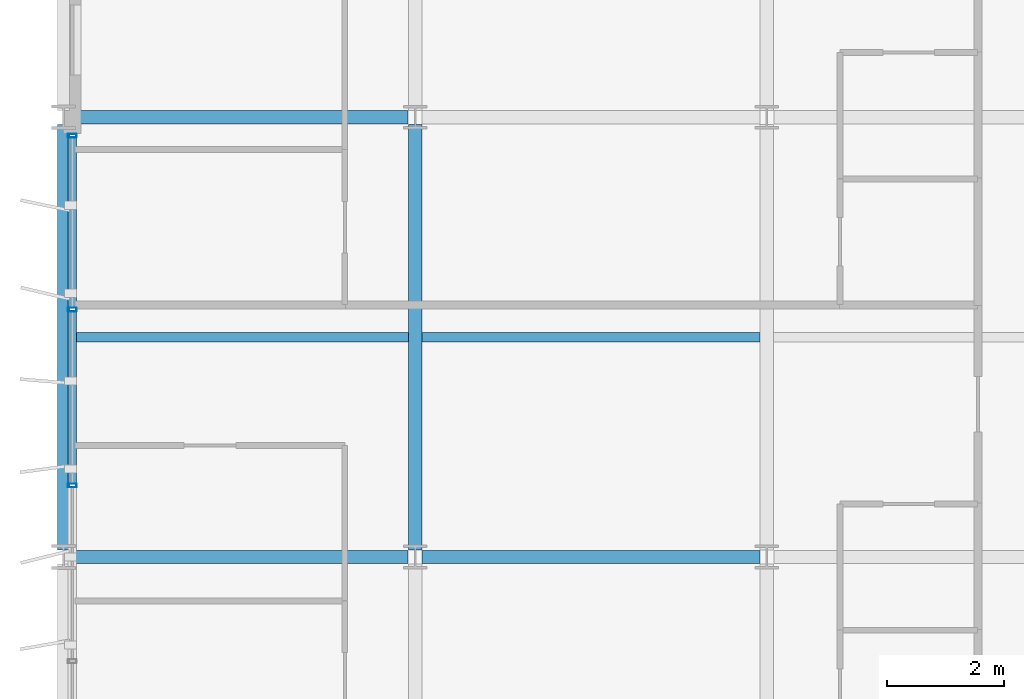
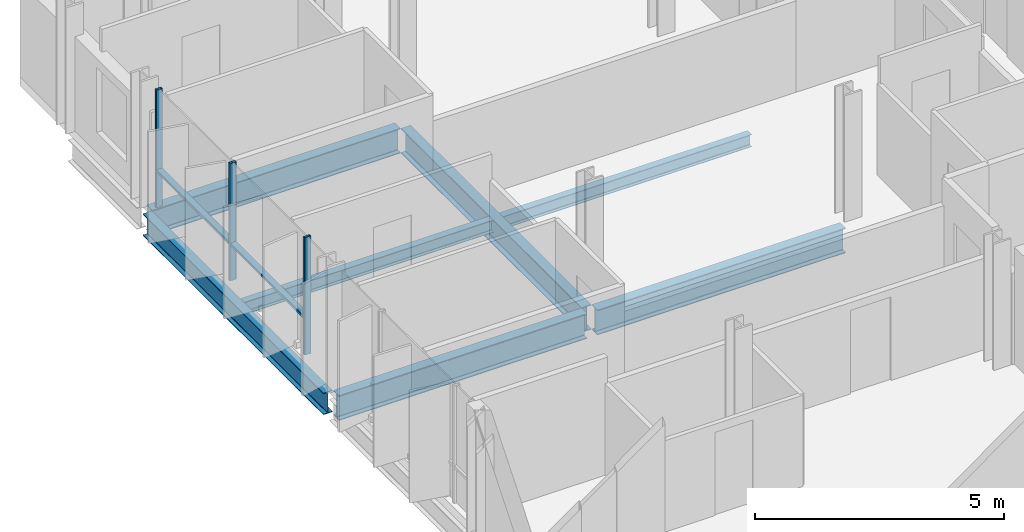
# One storey, part 7 of 38: 7 beams, 5 members, 1 element without a shape of its own.
"""IFC4 building model written with IfcOpenShell, lengths in metres."""

import ifcopenshell
import ifcopenshell.guid

model = None  # the IFC model being written
_history = None  # IfcOwnerHistory: only IFC2X3 demands one
_inside = {}  # id of a spatial element -> (the spatial element, [elements in it])
_under = {}  # id of a project, library or spatial element -> (it, [spatial elements below it])
_declared = {}  # id of a project -> (the project, [libraries it declares])
_typed = {}  # id of a type object -> (the type object, [elements of that type])
_made_of = {}  # id of a material, layer set ... -> (it, [elements and type objects made of it])


def new_model(schema):
    """Start an empty IFC model of exactly this schema.

    Asked for "IFC4X3", IfcOpenShell would pick the latest addendum, in which some entities
    have other attributes; the version numbers below select the first issue.
    IFC2X3 requires an IfcOwnerHistory on every rooted entity: one is made here for all.
    """
    global model, _history
    if schema == "IFC4X3":
        model = ifcopenshell.file(schema_version=(4, 3, 0, 0))
    else:
        model = ifcopenshell.file(schema=schema)
    _inside.clear()
    _under.clear()
    _declared.clear()
    _typed.clear()
    _made_of.clear()
    _history = None
    if model.schema == "IFC2X3":
        org = make("IfcOrganization", Name="unknown")
        user = make(
            "IfcPersonAndOrganization",
            ThePerson=make("IfcPerson", FamilyName="unknown"),
            TheOrganization=org,
        )
        app = make(
            "IfcApplication",
            ApplicationDeveloper=org,
            Version="unknown",
            ApplicationFullName="unknown",
            ApplicationIdentifier="unknown",
        )
        _history = make(
            "IfcOwnerHistory",
            OwningUser=user,
            OwningApplication=app,
            ChangeAction="ADDED",
            CreationDate=0,
        )
    return model


def make(cls, **values):
    """One entity of the class cls with the attributes given. An attribute that is None is left unset."""
    return model.create_entity(
        cls, **{name: value for name, value in values.items() if value is not None}
    )


def rooted(cls, **values):
    """An entity with a GlobalId (a new one), such as an element, a storey or a relation."""
    return make(cls, GlobalId=ifcopenshell.guid.new(), OwnerHistory=_history, **values)


def si_unit(unit_type, name, prefix=None):
    """IfcSIUnit, for example si_unit("LENGTHUNIT", "METRE", prefix="MILLI")."""
    return make("IfcSIUnit", UnitType=unit_type, Prefix=prefix, Name=name)


def assignment(units):
    """IfcUnitAssignment: the units of a project."""
    return None if units is None else make("IfcUnitAssignment", Units=units)


def point(xyz):
    """IfcCartesianPoint."""
    return None if xyz is None else make("IfcCartesianPoint", Coordinates=xyz)


def direction(xyz):
    """IfcDirection."""
    return None if xyz is None else make("IfcDirection", DirectionRatios=xyz)


def frame(location, z_axis=None, x_axis=None):
    """IfcAxis2Placement3D, a coordinate frame: its origin and axes. An axis left out is left unset."""
    return make(
        "IfcAxis2Placement3D",
        Location=point(location),
        Axis=direction(z_axis),
        RefDirection=direction(x_axis),
    )


def frame_2d(location, x_axis=None):
    """IfcAxis2Placement2D, a coordinate frame in the plane: its origin and x axis."""
    return make(
        "IfcAxis2Placement2D", Location=point(location), RefDirection=direction(x_axis)
    )


def origin():
    """The frame at (0, 0, 0) with its axes left unset."""
    return frame((0.0, 0.0, 0.0))


def origin_2d():
    """The frame at (0, 0) in the plane with its x axis left unset."""
    return frame_2d((0.0, 0.0))


def place(relative_to, where):
    """IfcLocalPlacement: puts the frame where relative to a parent placement (None: the world)."""
    return make(
        "IfcLocalPlacement", PlacementRelTo=relative_to, RelativePlacement=where
    )


def context(
    kind, dimensions, precision=None, world=None, true_north=None, identifier=None
):
    """IfcGeometricRepresentationContext, for example the 3D "Model" context."""
    return make(
        "IfcGeometricRepresentationContext",
        ContextIdentifier=identifier,
        ContextType=kind,
        CoordinateSpaceDimension=dimensions,
        Precision=precision,
        WorldCoordinateSystem=world,
        TrueNorth=true_north,
    )


def subcontext(parent, identifier, kind, view, scale=None):
    """IfcGeometricRepresentationSubContext, for example "Body" below "Model"."""
    return make(
        "IfcGeometricRepresentationSubContext",
        ContextIdentifier=identifier,
        ContextType=kind,
        ParentContext=parent,
        TargetScale=scale,
        TargetView=view,
    )


def project(units=None, contexts=None):
    """IfcProject with its units and contexts."""
    return rooted(
        "IfcProject",
        Name="project",
        RepresentationContexts=contexts,
        UnitsInContext=assignment(units),
    )


def spatial(cls, under=None, at=None, **own):
    """A site, building, storey or space (cls), placed at a placement, below another one or the project."""
    s = rooted(cls, ObjectPlacement=at, **own)
    if under is not None:
        _under.setdefault(under.id(), (under, []))[1].append(s)
    return s


def profile(cls, at=None, kind="AREA", **sizes):
    """A parametric profile (cls). Its sizes go by their IFC names, for example OverallWidth=200.0."""
    return make(cls, ProfileType=kind, Position=at, **sizes)


def hollow_rectangle(**sizes):
    """IfcRectangleHollowProfileDef."""
    return profile("IfcRectangleHollowProfileDef", **sizes)


def i_section(**sizes):
    """IfcIShapeProfileDef."""
    return profile("IfcIShapeProfileDef", **sizes)


def extrude(swept, where, along, depth):
    """IfcExtrudedAreaSolid: the profile swept, set in the frame where, extruded along a direction by depth."""
    return make(
        "IfcExtrudedAreaSolid",
        SweptArea=swept,
        Position=where,
        ExtrudedDirection=direction(along),
        Depth=depth,
    )


def shape(context_of_items, identifier, shape_type, items):
    """IfcShapeRepresentation: the items that make up one representation, for example the "Body"."""
    return make(
        "IfcShapeRepresentation",
        ContextOfItems=context_of_items,
        RepresentationIdentifier=identifier,
        RepresentationType=shape_type,
        Items=items,
    )


def material(Name=None, Category=None):
    """IfcMaterial."""
    return make("IfcMaterial", Name=Name, Category=Category)


def layer(
    of_material, thickness, ventilated=None, Name=None, Category=None, Priority=None
):
    """IfcMaterialLayer: one layer of a wall or slab, of a material (None: an air gap)."""
    return make(
        "IfcMaterialLayer",
        Material=of_material,
        LayerThickness=thickness,
        IsVentilated=ventilated,
        Name=Name,
        Category=Category,
        Priority=Priority,
    )


def layer_set(layers, Name=None):
    """IfcMaterialLayerSet."""
    return make("IfcMaterialLayerSet", MaterialLayers=layers, LayerSetName=Name)


def material_profile(
    of_material, cross_section, Name=None, Category=None, Priority=None
):
    """IfcMaterialProfile: a cross section and its material."""
    return make(
        "IfcMaterialProfile",
        Name=Name,
        Material=of_material,
        Profile=cross_section,
        Priority=Priority,
        Category=Category,
    )


def profile_set(profiles, Name=None, composite=None):
    """IfcMaterialProfileSet."""
    return make(
        "IfcMaterialProfileSet",
        Name=Name,
        MaterialProfiles=profiles,
        CompositeProfile=composite,
    )


def made_of(thing, what):
    """Note that an element or type object is made of a material, layer set ...; save() writes the relation."""
    if what is not None:
        _made_of.setdefault(what.id(), (what, []))[1].append(thing)
    return thing


def type_object(cls, material=None, **own):
    """A type object (cls), such as IfcWallType, which elements share."""
    return made_of(rooted(cls, **own), material)


def element(
    cls,
    number,
    at=None,
    inside=None,
    cuts=None,
    type_object=None,
    material=None,
    context=None,
    identifier="Body",
    shape_type=None,
    held_by="IfcProductDefinitionShape",
    body=None,
    shapes=None,
    **own,
):
    """One element of the class cls, such as IfcWall. Its Tag is "e" and its number.

    at: its placement. inside: the storey or other place that contains it. cuts: it is an
    opening in that element (IfcRelVoidsElement). A single representation is given by context,
    identifier, shape_type and body (its items); several are given by shapes. held_by: the class
    of the entity that holds the representations. save() writes the other relations.
    """
    e = rooted(cls, Tag="e%d" % number, ObjectPlacement=at, **own)
    if body is not None:
        shapes = [shape(context, identifier, shape_type, body)]
    if shapes is not None:
        e.Representation = make(held_by, Representations=shapes)
    if inside is not None:
        _inside.setdefault(inside.id(), (inside, []))[1].append(e)
    if cuts is not None:
        rooted(
            "IfcRelVoidsElement", RelatingBuildingElement=cuts, RelatedOpeningElement=e
        )
    if type_object is not None:
        _typed.setdefault(type_object.id(), (type_object, []))[1].append(e)
    return made_of(e, material)


def aggregate(whole, parts):
    """IfcRelAggregates: a whole, such as a stair, and the parts it consists of."""
    return rooted("IfcRelAggregates", RelatingObject=whole, RelatedObjects=parts)


def save(model, path):
    """Write the relations noted so far, then the file.

    IfcRelAggregates (storeys below a building ...), IfcRelContainedInSpatialStructure (elements
    in a storey), IfcRelDefinesByType, IfcRelAssociatesMaterial and IfcRelDeclares: one each for
    every whole, place, type object, material and project.
    """
    for whole, parts in _under.values():
        aggregate(whole, parts)
    for where, things in _inside.values():
        rooted(
            "IfcRelContainedInSpatialStructure",
            RelatedElements=things,
            RelatingStructure=where,
        )
    for kind, things in _typed.values():
        rooted("IfcRelDefinesByType", RelatedObjects=things, RelatingType=kind)
    for what, things in _made_of.values():
        rooted("IfcRelAssociatesMaterial", RelatedObjects=things, RelatingMaterial=what)
    for by, libraries in _declared.values():
        rooted("IfcRelDeclares", RelatingContext=by, RelatedDefinitions=libraries)
    model.write(path)


model = new_model("IFC4")

# Units and contexts
model_context = context("Model", 3, precision=1e-05, world=origin(), true_north=direction((0.0, 1.0)))
body_context = subcontext(model_context, "Body", "Model", "MODEL_VIEW")
ifc_project = project(units=[si_unit("LENGTHUNIT", "METRE"), si_unit("AREAUNIT", "SQUARE_METRE"), si_unit("VOLUMEUNIT", "CUBIC_METRE"), si_unit("PLANEANGLEUNIT", "RADIAN"), si_unit("MASSUNIT", "GRAM", prefix="KILO")], contexts=[model_context])

# Site, building, storey
site_placement = place(None, origin())
site = spatial("IfcSite", under=ifc_project, at=site_placement, CompositionType="ELEMENT")
building_placement = place(site_placement, origin())
building = spatial("IfcBuilding", under=site, at=building_placement, Name="Brevholm Reach", CompositionType="ELEMENT")
storey_placement = place(building_placement, frame((0.0, 0.0, 141.800048828125)))
storey = spatial("IfcBuildingStorey", under=building, at=storey_placement, Name="L42", CompositionType="ELEMENT", Elevation=141.800048828125)

# Beams
ifc_material_1 = material(Name="Structural Steel S355J2", Category="steel")
ifc_material_profile_1 = material_profile(ifc_material_1, i_section(OverallWidth=0.1650390625, OverallDepth=0.303466796875, WebThickness=0.006103515625, FlangeThickness=0.01025390625, FilletRadius=0.0087890625, at=origin_2d()), Name="UKB 305x165x40")
ifc_profile_set_1 = profile_set([ifc_material_profile_1], Name="Structural Steel S355J2")
beam_type_1 = type_object("IfcBeamType", Name="BM-B305", PredefinedType="BEAM", material=ifc_profile_set_1)
beam_1_placement = place(storey_placement, frame((0.104736328125, 19.75, -0.371826171875), z_axis=(1.0, 0.0, 0.0), x_axis=(0.0, 1.0, 0.0)))
element("IfcBeam", 1, at=beam_1_placement, inside=storey, type_object=beam_type_1, Name="L42 Composite Secondary Floor Beam", PredefinedType="BEAM", context=body_context, shape_type="SweptSolid", body=[
    extrude(i_section(OverallWidth=0.1650390625, OverallDepth=0.303466796875, WebThickness=0.006103515625, FlangeThickness=0.01025390625, FilletRadius=0.0087890625, at=origin_2d()), origin(), (0.0, 0.0, 1.0), 5.78076171875),
])
beam_2_placement = place(storey_placement, frame((6.114501953125, 19.75, -0.371826171875), z_axis=(1.0, 0.0, 0.0), x_axis=(0.0, 1.0, 0.0)))
element("IfcBeam", 2, at=beam_2_placement, inside=storey, type_object=beam_type_1, Name="L42 Composite Secondary Floor Beam", PredefinedType="BEAM", context=body_context, shape_type="SweptSolid", body=[
    extrude(i_section(OverallWidth=0.1650390625, OverallDepth=0.303466796875, WebThickness=0.006103515625, FlangeThickness=0.01025390625, FilletRadius=0.0087890625, at=origin_2d()), origin(), (0.0, 0.0, 1.0), 5.77099609375),
])
ifc_material_2 = material(Name="Structural Steel S355J2", Category="steel")
ifc_material_profile_2 = material_profile(ifc_material_2, i_section(OverallWidth=0.209228515625, OverallDepth=0.533203125, WebThickness=0.010009765625, FlangeThickness=0.015625, FilletRadius=0.0126953125, at=origin_2d()), Name="UKB 533x210x92")
ifc_profile_set_2 = profile_set([ifc_material_profile_2], Name="Structural Steel S355J2")
beam_type_2 = type_object("IfcBeamType", Name="BM-SP533", PredefinedType="SPANDREL", material=ifc_profile_set_2)
beam_3_placement = place(storey_placement, frame((0.0, 16.1201171875, -0.486572265625), z_axis=(0.0, 1.0, 0.0), x_axis=(-1.0, 0.0, 0.0)))
element("IfcBeam", 3, at=beam_3_placement, inside=storey, type_object=beam_type_2, Name="L42 SP-02 Framing Beam", PredefinedType="SPANDREL", context=body_context, shape_type="SweptSolid", body=[
    extrude(i_section(OverallWidth=0.209228515625, OverallDepth=0.533203125, WebThickness=0.010009765625, FlangeThickness=0.015625, FilletRadius=0.0126953125, at=origin_2d()), origin(), (0.0, 0.0, 1.0), 7.259765625),
])
ifc_material_3 = material(Name="Structural Steel S355J2", Category="steel")
ifc_material_profile_3 = material_profile(ifc_material_3, i_section(OverallWidth=0.22900390625, OverallDepth=0.6123046875, WebThickness=0.011962890625, FlangeThickness=0.01953125, FilletRadius=0.0126953125, at=origin_2d()), Name="UKB 610x229x125")
ifc_profile_set_3 = profile_set([ifc_material_profile_3], Name="Structural Steel S355J2")
beam_type_3 = type_object("IfcBeamType", Name="BM-SP610", PredefinedType="SPANDREL", material=ifc_profile_set_3)
for number, where, z_axis, x_axis, name in (
    (4, (0.1201171875, 16.0, -0.526123046875), (1.0, 0.0, 0.0), (0.0, 1.0, 0.0), "L42 SP-01 Framing Beam"),
    (5, (6.1201171875, 16.0, -0.526123046875), (1.0, 0.0, 0.0), (0.0, 1.0, 0.0), "L42 SP-01 Framing Beam"),
    (6, (0.1201171875, 23.5, -0.526123046875), (1.0, 0.0, 0.0), (0.0, 1.0, 0.0), "L42 SP-01 Framing Beam"),
):
    element("IfcBeam", number, at=place(storey_placement, frame(where, z_axis=z_axis, x_axis=x_axis)), inside=storey, type_object=beam_type_3, Name=name, PredefinedType="SPANDREL", context=body_context, shape_type="SweptSolid", body=[
        extrude(i_section(OverallWidth=0.22900390625, OverallDepth=0.6123046875, WebThickness=0.011962890625, FlangeThickness=0.01953125, FilletRadius=0.0126953125, at=origin_2d()), origin(), (0.0, 0.0, 1.0), 5.759765625),
    ])
beam_4_placement = place(storey_placement, frame((6.0, 16.1201171875, -0.526123046875), z_axis=(0.0, 1.0, 0.0), x_axis=(-1.0, 0.0, 0.0)))
element("IfcBeam", 7, at=beam_4_placement, inside=storey, type_object=beam_type_3, Name="L42 SP-01 Framing Beam", PredefinedType="SPANDREL", context=body_context, shape_type="SweptSolid", body=[
    extrude(i_section(OverallWidth=0.22900390625, OverallDepth=0.6123046875, WebThickness=0.011962890625, FlangeThickness=0.01953125, FilletRadius=0.0126953125, at=origin_2d()), origin(), (0.0, 0.0, 1.0), 7.259765625),
])

# Curtain wall, members
ifc_material_4 = material(Name="Dark Anodised Aluminium 6063-T6 and Solar-Control Glass", Category="aluminium")
ifc_layer = layer(ifc_material_4, 0.14990234375)
ifc_layer_set = layer_set([ifc_layer], Name="Dark Anodised Aluminium 6063-T6 and Solar-Control Glass")
curtain_wall_type = type_object("IfcCurtainWallType", Name="CW-01", PredefinedType="NOTDEFINED", material=ifc_layer_set)
curtain_wall_placement = place(storey_placement, origin())
curtain_wall = element("IfcCurtainWall", 8, at=curtain_wall_placement, inside=storey, type_object=curtain_wall_type, Name="L42 Curtain Wall CW-01", PredefinedType="NOTDEFINED")
ifc_material_5 = material(Name="Dark Anodised Aluminium 6063-T6", Category="aluminium")
ifc_material_profile_4 = material_profile(ifc_material_5, hollow_rectangle(XDim=0.06494140625, YDim=0.14990234375, WallThickness=0.0048828125, InnerFilletRadius=0.0048828125, OuterFilletRadius=0.010009765625, at=origin_2d()), Name="RHS 150x65x5")
ifc_profile_set_4 = profile_set([ifc_material_profile_4], Name="Dark Anodised Aluminium 6063-T6")
member_type_1 = type_object("IfcMemberType", Name="CWM-150", PredefinedType="MULLION", material=ifc_profile_set_4)
member_1_placement = place(storey_placement, frame((0.14990234375, 23.1875, 0.0), z_axis=(0.0, 0.0, 1.0), x_axis=(0.0, -1.0, 0.0)))
member_1 = element("IfcMember", 9, at=member_1_placement, type_object=member_type_1, Name="CM-150 Mullion 1", PredefinedType="MULLION", context=body_context, shape_type="SweptSolid", body=[
    extrude(hollow_rectangle(XDim=0.06494140625, YDim=0.14990234375, WallThickness=0.0048828125, InnerFilletRadius=0.0048828125, OuterFilletRadius=0.010009765625, at=origin_2d()), origin(), (0.0, 0.0, 1.0), 2.8798828125),
])
member_2_placement = place(storey_placement, frame((0.14990234375, 20.219970703125, 0.0), z_axis=(0.0, 0.0, 1.0), x_axis=(0.0, -1.0, 0.0)))
member_2 = element("IfcMember", 10, at=member_2_placement, type_object=member_type_1, Name="CM-150 Mullion 2", PredefinedType="MULLION", context=body_context, shape_type="SweptSolid", body=[
    extrude(hollow_rectangle(XDim=0.06494140625, YDim=0.14990234375, WallThickness=0.0048828125, InnerFilletRadius=0.0048828125, OuterFilletRadius=0.010009765625, at=origin_2d()), origin(), (0.0, 0.0, 1.0), 2.8798828125),
])
member_3_placement = place(storey_placement, frame((0.14990234375, 17.219970703125, 0.0), z_axis=(0.0, 0.0, 1.0), x_axis=(0.0, -1.0, 0.0)))
member_3 = element("IfcMember", 11, at=member_3_placement, type_object=member_type_1, Name="CM-150 Mullion 3", PredefinedType="MULLION", context=body_context, shape_type="SweptSolid", body=[
    extrude(hollow_rectangle(XDim=0.06494140625, YDim=0.14990234375, WallThickness=0.0048828125, InnerFilletRadius=0.0048828125, OuterFilletRadius=0.010009765625, at=origin_2d()), origin(), (0.0, 0.0, 1.0), 2.8798828125),
])
ifc_material_6 = material(Name="Dark Anodised Aluminium 6063-T6", Category="aluminium")
ifc_material_profile_5 = material_profile(ifc_material_6, hollow_rectangle(XDim=0.06494140625, YDim=0.14990234375, WallThickness=0.0048828125, InnerFilletRadius=0.0048828125, OuterFilletRadius=0.010009765625, at=origin_2d()), Name="RHS 150x65x5")
ifc_profile_set_5 = profile_set([ifc_material_profile_5], Name="Dark Anodised Aluminium 6063-T6")
member_type_2 = type_object("IfcMemberType", Name="CWT-150", PredefinedType="NOTDEFINED", material=ifc_profile_set_5)
member_4_placement = place(storey_placement, frame((0.14990234375, 23.155029296875, 0.89990234375), z_axis=(0.0, -1.0, 0.0), x_axis=(0.0, 0.0, 1.0)))
member_4 = element("IfcMember", 12, at=member_4_placement, type_object=member_type_2, Name="CT-150 Transom 1.1", ObjectType="TRANSOM", PredefinedType="USERDEFINED", context=body_context, shape_type="SweptSolid", body=[
    extrude(hollow_rectangle(XDim=0.06494140625, YDim=0.14990234375, WallThickness=0.0048828125, InnerFilletRadius=0.0048828125, OuterFilletRadius=0.010009765625, at=origin_2d()), origin(), (0.0, 0.0, 1.0), 2.902587890625),
])
member_5_placement = place(storey_placement, frame((0.14990234375, 20.1875, 0.89990234375), z_axis=(0.0, -1.0, 0.0), x_axis=(0.0, 0.0, 1.0)))
member_5 = element("IfcMember", 13, at=member_5_placement, type_object=member_type_2, Name="CT-150 Transom 2.1", ObjectType="TRANSOM", PredefinedType="USERDEFINED", context=body_context, shape_type="SweptSolid", body=[
    extrude(hollow_rectangle(XDim=0.06494140625, YDim=0.14990234375, WallThickness=0.0048828125, InnerFilletRadius=0.0048828125, OuterFilletRadius=0.010009765625, at=origin_2d()), origin(), (0.0, 0.0, 1.0), 2.93505859375),
])
aggregate(curtain_wall, [member_1, member_2, member_3, member_4, member_5])

save(model, "model.ifc")
